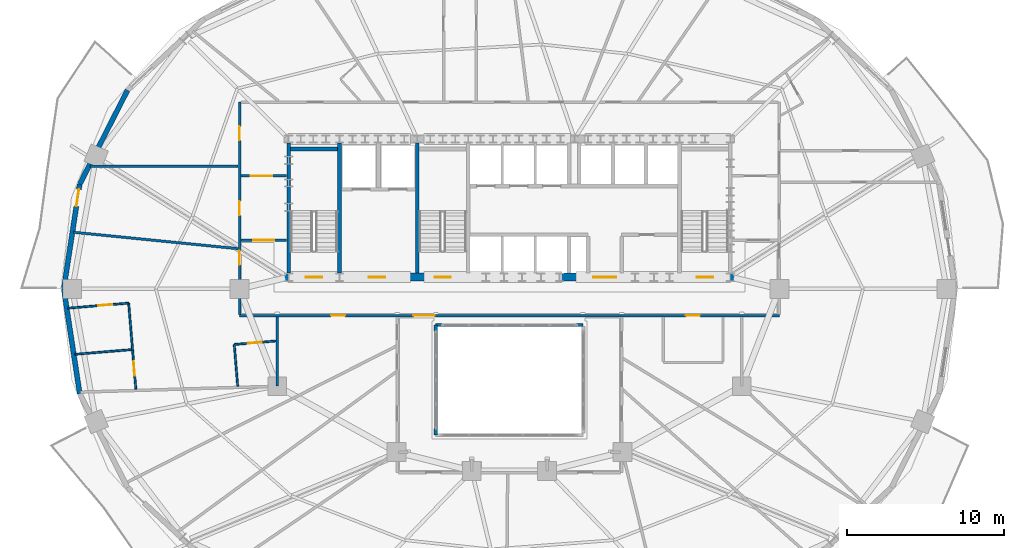
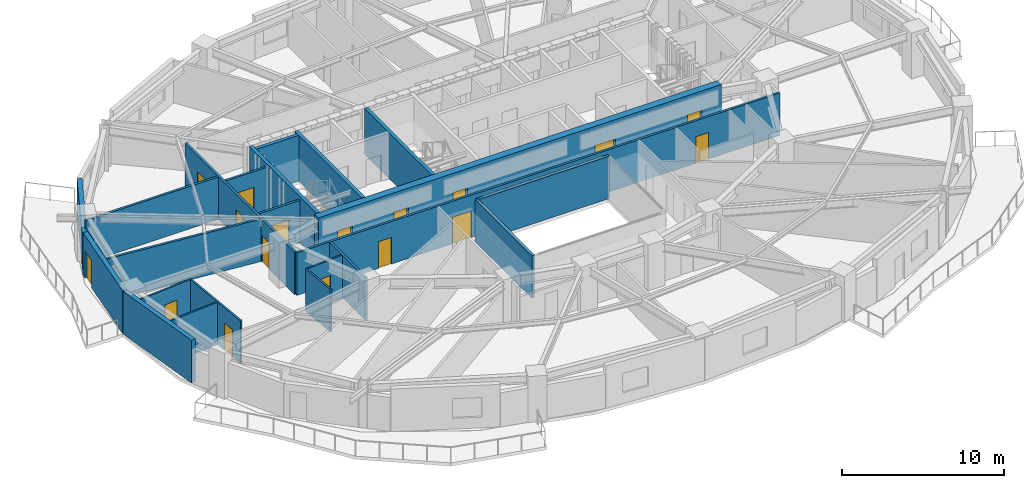
# One storey, part 7 of 14: 22 walls, 17 doors, 17 openings.
"""IFC4 building model written with IfcOpenShell, lengths in metres."""

from ifc_helpers import new_model, si_unit, direction, frame, frame_2d, origin, place, context, subcontext, project, spatial, rectangle, extrude, material, layer, layer_set, type_object, element, fill, save


model = new_model("IFC4")

# Units and contexts
model_context = context("Model", 3, precision=1e-05, world=origin(), true_north=direction((0.0, 1.0)))
body_context = subcontext(model_context, "Body", "Model", "MODEL_VIEW")
ifc_project = project(units=[si_unit("LENGTHUNIT", "METRE"), si_unit("AREAUNIT", "SQUARE_METRE"), si_unit("VOLUMEUNIT", "CUBIC_METRE"), si_unit("PLANEANGLEUNIT", "RADIAN"), si_unit("MASSUNIT", "GRAM", prefix="KILO")], contexts=[model_context])

# Site, building, storey
site_placement = place(None, origin())
site = spatial("IfcSite", under=ifc_project, at=site_placement, CompositionType="ELEMENT")
building_placement = place(site_placement, origin())
building = spatial("IfcBuilding", under=site, at=building_placement, Name="Haldorwick Loom Tower", CompositionType="ELEMENT")
storey_placement = place(building_placement, frame((0.0, 0.0, 95.60009765625)))
storey = spatial("IfcBuildingStorey", under=building, at=storey_placement, Name="L25", CompositionType="ELEMENT", Elevation=95.60009765625)

# Wall
ifc_material_1 = material(Name="Pressed Clay Face Brick and Insulated Masonry Backup Assembly", Category="masonry")
ifc_layer_1 = layer(ifc_material_1, 0.320068359375, Name="Pressed Clay Face Brick and Insulated Masonry Backup Assembly", Category="masonry")
ifc_layer_set_1 = layer_set([ifc_layer_1], Name="Pressed Clay Face Brick and Insulated Masonry Backup Assembly")
wall_type_1 = type_object("IfcWallType", Name="ARC-WL-EXT320", PredefinedType="STANDARD", material=ifc_layer_set_1)
wall_1_placement = place(storey_placement, frame((11.661376953125, 38.655517578125, 0.0), z_axis=(0.0, 0.0, 1.0), x_axis=(-0.453374078001, -0.89132033826, 0.0)))
element("IfcWall", 1, at=wall_1_placement, inside=storey, type_object=wall_type_1, Name="L25 Brick Pier and Spandrel Wall 11", PredefinedType="STANDARD", context=body_context, shape_type="SweptSolid", body=[
    extrude(rectangle(XDim=6.709716796875, YDim=0.320068359375, at=frame_2d((3.35498046875, 0.0))), origin(), (0.0, 0.0, 1.0), 2.56884765625),
])

# Wall, opening, door
wall_2_placement = place(storey_placement, frame((8.619384765625, 32.675048828125, 0.0), z_axis=(0.0, 0.0, 1.0), x_axis=(-0.150633288003, -0.988589708901, 0.0)))
wall_2 = element("IfcWall", 2, at=wall_2_placement, inside=storey, type_object=wall_type_1, Name="L25 Brick Pier and Spandrel Wall 12", PredefinedType="STANDARD", context=body_context, shape_type="SweptSolid", body=[
    extrude(rectangle(XDim=6.752197265625, YDim=0.320068359375, at=frame_2d((3.3759765625, 0.0))), origin(), (0.0, 0.0, 1.0), 3.2099609375),
])
opening_1_placement = place(wall_2_placement, frame((0.340087890625, 0.0, 0.0)))
opening_1 = element("IfcOpeningElement", 3, at=opening_1_placement, cuts=wall_2, Name="Opening D-BL11", PredefinedType="OPENING", context=body_context, shape_type="SweptSolid", body=[
    extrude(rectangle(XDim=1.080078125, YDim=2.0400390625, at=frame_2d((0.5400390625, 1.02001953125))), frame((0.0, 0.169921875, 0.0), z_axis=(0.0, -1.0, 0.0), x_axis=(1.0, 0.0, 0.0)), (0.0, 0.0, 1.0), 0.340087890625),
])
ifc_material_2 = material(Name="Thermally Broken Anodized Aluminium Curtain Wall Framing", Category="aluminium")
door_type_1 = type_object("IfcDoorType", Name="ARC-DR-BAL110", OperationType="NOTDEFINED", PredefinedType="DOOR", material=ifc_material_2)
door_1_placement = place(opening_1_placement, origin())
door_1 = element("IfcDoor", 4, at=door_1_placement, inside=storey, type_object=door_type_1, Name="L25 Outdoor Terrace Door SLB-L25-BAL_WNW", OperationType="SINGLE_SWING_RIGHT", OverallHeight=2.0400390625, OverallWidth=1.080078125, PredefinedType="DOOR", context=body_context, shape_type="SweptSolid", body=[
    extrude(rectangle(XDim=1.080078125, YDim=2.0400390625, at=frame_2d((0.5400390625, 1.02001953125))), frame((0.0, 0.02490234375, 0.0), z_axis=(0.0, -1.0, 0.0), x_axis=(1.0, 0.0, 0.0)), (0.0, 0.0, 1.0), 0.050048828125),
])
fill(opening_1, door_1)

# Wall
wall_3_placement = place(storey_placement, frame((7.602294921875, 26.0, 0.0), z_axis=(0.0, 0.0, 1.0), x_axis=(0.150633288003, -0.988589708901, 0.0)))
element("IfcWall", 5, at=wall_3_placement, inside=storey, type_object=wall_type_1, Name="L25 Brick Pier and Spandrel Wall 13", PredefinedType="STANDARD", context=body_context, shape_type="SweptSolid", body=[
    extrude(rectangle(XDim=6.752197265625, YDim=0.320068359375, at=frame_2d((3.3759765625, 0.0))), origin(), (0.0, 0.0, 1.0), 3.2099609375),
])

# Wall, openings, doors
ifc_material_3 = material(Name="Fire-Rated Type X Gypsum Stud Assembly EI 60")
ifc_layer_2 = layer(ifc_material_3, 0.159912109375, Name="Fire-Rated Type X Gypsum Stud Assembly EI 60")
ifc_layer_set_2 = layer_set([ifc_layer_2], Name="Fire-Rated Type X Gypsum Stud Assembly EI 60")
wall_type_2 = type_object("IfcWallType", Name="ARC-WL-FIRE160", PredefinedType="PARTITIONING", material=ifc_layer_set_2)
wall_4_placement = place(storey_placement, frame((18.800048828125, 24.300048828125, 0.0), z_axis=(0.0, 0.0, 1.0), x_axis=(1.0, 0.0, 0.0)))
wall_4 = element("IfcWall", 6, at=wall_4_placement, inside=storey, type_object=wall_type_2, Name="L25 Residential Fire Partition L25-CR-SP", PredefinedType="PARTITIONING", context=body_context, shape_type="SweptSolid", body=[
    extrude(rectangle(XDim=34.39990234375, YDim=0.159912109375, at=frame_2d((17.199951171875, 0.0))), origin(), (0.0, 0.0, 1.0), 3.19482421875),
])
opening_2_placement = place(wall_4_placement, frame((11.085693359375, 0.0, 0.0)))
opening_2 = element("IfcOpeningElement", 7, at=opening_2_placement, cuts=wall_4, Name="Opening D-CR15", PredefinedType="OPENING", context=body_context, shape_type="SweptSolid", body=[
    extrude(rectangle(XDim=1.35009765625, YDim=2.0, at=frame_2d((0.675048828125, 1.0))), frame((0.0, 0.08984375, 0.0), z_axis=(0.0, -1.0, 0.0), x_axis=(1.0, 0.0, 0.0)), (0.0, 0.0, 1.0), 0.179931640625),
])
opening_3_placement = place(wall_4_placement, frame((5.834716796875, 0.0, 0.0)))
opening_3 = element("IfcOpeningElement", 8, at=opening_3_placement, cuts=wall_4, Name="Opening D-FD60A", PredefinedType="OPENING", context=body_context, shape_type="SweptSolid", body=[
    extrude(rectangle(XDim=0.89990234375, YDim=2.0, at=frame_2d((0.449951171875, 1.0))), frame((0.0, 0.08984375, 0.0), z_axis=(0.0, -1.0, 0.0), x_axis=(1.0, 0.0, 0.0)), (0.0, 0.0, 1.0), 0.179931640625),
])
opening_4_placement = place(wall_4_placement, frame((28.437255859375, 0.0, 0.0)))
opening_4 = element("IfcOpeningElement", 9, at=opening_4_placement, cuts=wall_4, Name="Opening D-FD60A", PredefinedType="OPENING", context=body_context, shape_type="SweptSolid", body=[
    extrude(rectangle(XDim=0.89990234375, YDim=2.0, at=frame_2d((0.449951171875, 1.0))), frame((0.0, 0.08984375, 0.0), z_axis=(0.0, -1.0, 0.0), x_axis=(1.0, 0.0, 0.0)), (0.0, 0.0, 1.0), 0.179931640625),
])
ifc_material_4 = material(Name="Thermally Broken Anodized Aluminium and Tempered Glass", Category="aluminium")
door_type_2 = type_object("IfcDoorType", Name="ARC-DR-COR150", OperationType="NOTDEFINED", PredefinedType="DOOR", material=ifc_material_4)
door_2_placement = place(opening_2_placement, origin())
door_2 = element("IfcDoor", 10, at=door_2_placement, inside=storey, type_object=door_type_2, Name="L25 L25 Central Residential Corridor to L25 South Atrium Corridor Door", OperationType="DOUBLE_DOOR_SINGLE_SWING", OverallHeight=2.0, OverallWidth=1.35009765625, PredefinedType="DOOR", context=body_context, shape_type="SweptSolid", body=[
    extrude(rectangle(XDim=1.35009765625, YDim=2.0, at=frame_2d((0.675048828125, 1.0))), frame((0.0, 0.02490234375, 0.0), z_axis=(0.0, -1.0, 0.0), x_axis=(1.0, 0.0, 0.0)), (0.0, 0.0, 1.0), 0.050048828125),
])
fill(opening_2, door_2)
ifc_material_5 = material(Name="Hollow Steel Fire Door Assembly", Category="steel")
door_type_3 = type_object("IfcDoorType", Name="ARC-DR-FD60-90", OperationType="NOTDEFINED", PredefinedType="DOOR", material=ifc_material_5)
door_3_placement = place(opening_3_placement, origin())
door_3 = element("IfcDoor", 11, at=door_3_placement, inside=storey, type_object=door_type_3, Name="L25 L25 Central Residential Corridor to Craft Hobby Hall 2 Door", OperationType="SINGLE_SWING_RIGHT", OverallHeight=2.0, OverallWidth=0.89990234375, PredefinedType="DOOR", context=body_context, shape_type="SweptSolid", body=[
    extrude(rectangle(XDim=0.89990234375, YDim=2.0, at=frame_2d((0.449951171875, 1.0))), frame((0.0, 0.02490234375, 0.0), z_axis=(0.0, -1.0, 0.0), x_axis=(1.0, 0.0, 0.0)), (0.0, 0.0, 1.0), 0.050048828125),
])
fill(opening_3, door_3)
door_4_placement = place(opening_4_placement, origin())
door_4 = element("IfcDoor", 12, at=door_4_placement, inside=storey, type_object=door_type_3, Name="L25 L25 Central Residential Corridor to Common Accessible WC Door", OperationType="SINGLE_SWING_RIGHT", OverallHeight=2.0, OverallWidth=0.89990234375, PredefinedType="DOOR", context=body_context, shape_type="SweptSolid", body=[
    extrude(rectangle(XDim=0.89990234375, YDim=2.0, at=frame_2d((0.449951171875, 1.0))), frame((0.0, 0.02490234375, 0.0), z_axis=(0.0, -1.0, 0.0), x_axis=(1.0, 0.0, 0.0)), (0.0, 0.0, 1.0), 0.050048828125),
])
fill(opening_4, door_4)

wall_5_placement = place(storey_placement, frame((18.800048828125, 24.383056640625, 0.0), z_axis=(0.0, 0.0, 1.0), x_axis=(0.0, 1.0, 0.0)))
wall_5 = element("IfcWall", 13, at=wall_5_placement, inside=storey, type_object=wall_type_2, Name="L25 Residential Fire Partition L25-CR-W0", PredefinedType="PARTITIONING", context=body_context, shape_type="SweptSolid", body=[
    extrude(rectangle(XDim=13.516845703125, YDim=0.159912109375, at=frame_2d((6.75830078125, 0.0))), origin(), (0.0, 0.0, 1.0), 3.19482421875),
])
opening_5_placement = place(wall_5_placement, frame((6.30859375, 0.0, 0.0)))
opening_5 = element("IfcOpeningElement", 14, at=opening_5_placement, cuts=wall_5, Name="Opening D-FD60A", PredefinedType="OPENING", context=body_context, shape_type="SweptSolid", body=[
    extrude(rectangle(XDim=0.89990234375, YDim=2.0, at=frame_2d((0.449951171875, 1.0))), frame((0.0, 0.08984375, 0.0), z_axis=(0.0, -1.0, 0.0), x_axis=(1.0, 0.0, 0.0)), (0.0, 0.0, 1.0), 0.179931640625),
])
opening_6_placement = place(wall_5_placement, frame((3.149169921875, 0.0, 0.0)))
opening_6 = element("IfcOpeningElement", 15, at=opening_6_placement, cuts=wall_5, Name="Opening D-FD60A", PredefinedType="OPENING", context=body_context, shape_type="SweptSolid", body=[
    extrude(rectangle(XDim=0.89990234375, YDim=2.0, at=frame_2d((0.449951171875, 1.0))), frame((0.0, 0.08984375, 0.0), z_axis=(0.0, -1.0, 0.0), x_axis=(1.0, 0.0, 0.0)), (0.0, 0.0, 1.0), 0.179931640625),
])
opening_7_placement = place(wall_5_placement, frame((11.07275390625, 0.0, 0.0)))
opening_7 = element("IfcOpeningElement", 16, at=opening_7_placement, cuts=wall_5, Name="Opening D-FD60A", PredefinedType="OPENING", context=body_context, shape_type="SweptSolid", body=[
    extrude(rectangle(XDim=0.89990234375, YDim=2.0, at=frame_2d((0.449951171875, 1.0))), frame((0.0, 0.08984375, 0.0), z_axis=(0.0, -1.0, 0.0), x_axis=(1.0, 0.0, 0.0)), (0.0, 0.0, 1.0), 0.179931640625),
])
door_5_placement = place(opening_5_placement, frame((0.89990234375, 0.0, 0.0), z_axis=(0.0, 0.0, 1.0), x_axis=(-1.0, 0.0, 0.0)))
door_5 = element("IfcDoor", 17, at=door_5_placement, inside=storey, type_object=door_type_3, Name="L25 Games Club Hall 3 to L25 West Residential Corridor Door", OperationType="SINGLE_SWING_RIGHT", OverallHeight=2.0, OverallWidth=0.89990234375, PredefinedType="DOOR", context=body_context, shape_type="SweptSolid", body=[
    extrude(rectangle(XDim=0.89990234375, YDim=2.0, at=frame_2d((0.449951171875, 1.0))), frame((0.0, 0.02490234375, 0.0), z_axis=(0.0, -1.0, 0.0), x_axis=(1.0, 0.0, 0.0)), (0.0, 0.0, 1.0), 0.050048828125),
])
fill(opening_5, door_5)
door_6_placement = place(opening_6_placement, frame((0.89990234375, 0.0, 0.0), z_axis=(0.0, 0.0, 1.0), x_axis=(-1.0, 0.0, 0.0)))
door_6 = element("IfcDoor", 18, at=door_6_placement, inside=storey, type_object=door_type_3, Name="L25 Unit 25H Kitchen and Living Room to L25 Central Residential Corridor", OperationType="SINGLE_SWING_LEFT", OverallHeight=2.0, OverallWidth=0.89990234375, PredefinedType="DOOR", context=body_context, shape_type="SweptSolid", body=[
    extrude(rectangle(XDim=0.89990234375, YDim=2.0, at=frame_2d((0.449951171875, 1.0))), frame((0.0, 0.02490234375, 0.0), z_axis=(0.0, -1.0, 0.0), x_axis=(1.0, 0.0, 0.0)), (0.0, 0.0, 1.0), 0.050048828125),
])
fill(opening_6, door_6)
door_7_placement = place(opening_7_placement, frame((0.89990234375, 0.0, 0.0), z_axis=(0.0, 0.0, 1.0), x_axis=(-1.0, 0.0, 0.0)))
door_7 = element("IfcDoor", 19, at=door_7_placement, inside=storey, type_object=door_type_3, Name="L25 Community Teaching Classroom 9 to L25 North Residential Corridor Doo", OperationType="SINGLE_SWING_RIGHT", OverallHeight=2.0, OverallWidth=0.89990234375, PredefinedType="DOOR", context=body_context, shape_type="SweptSolid", body=[
    extrude(rectangle(XDim=0.89990234375, YDim=2.0, at=frame_2d((0.449951171875, 1.0))), frame((0.0, 0.02490234375, 0.0), z_axis=(0.0, -1.0, 0.0), x_axis=(1.0, 0.0, 0.0)), (0.0, 0.0, 1.0), 0.050048828125),
])
fill(opening_7, door_7)

# Wall, opening, door
wall_6_placement = place(storey_placement, frame((18.883056640625, 29.10009765625, 0.0), z_axis=(0.0, 0.0, 1.0), x_axis=(1.0, 0.0, 0.0)))
wall_6 = element("IfcWall", 20, at=wall_6_placement, inside=storey, type_object=wall_type_2, Name="L25 Residential Fire Partition L25-CR-WSJ", PredefinedType="PARTITIONING", context=body_context, shape_type="SweptSolid", body=[
    extrude(rectangle(XDim=2.923828125, YDim=0.159912109375, at=frame_2d((1.4619140625, 0.0))), origin(), (0.0, 0.0, 1.0), 3.19482421875),
])
opening_8_placement = place(wall_6_placement, frame((0.787109375, 0.0, 0.0)))
opening_8 = element("IfcOpeningElement", 21, at=opening_8_placement, cuts=wall_6, Name="Opening D-CR15", PredefinedType="OPENING", context=body_context, shape_type="SweptSolid", body=[
    extrude(rectangle(XDim=1.35009765625, YDim=2.0, at=frame_2d((0.675048828125, 1.0))), frame((0.0, 0.08984375, 0.0), z_axis=(0.0, -1.0, 0.0), x_axis=(1.0, 0.0, 0.0)), (0.0, 0.0, 1.0), 0.179931640625),
])
door_8_placement = place(opening_8_placement, origin())
door_8 = element("IfcDoor", 22, at=door_8_placement, inside=storey, type_object=door_type_2, Name="L25 L25 West Residential Corridor to L25 Central Residential Corridor Do", OperationType="DOUBLE_DOOR_SINGLE_SWING", OverallHeight=2.0, OverallWidth=1.35009765625, PredefinedType="DOOR", context=body_context, shape_type="SweptSolid", body=[
    extrude(rectangle(XDim=1.35009765625, YDim=2.0, at=frame_2d((0.675048828125, 1.0))), frame((0.0, 0.02490234375, 0.0), z_axis=(0.0, -1.0, 0.0), x_axis=(1.0, 0.0, 0.0)), (0.0, 0.0, 1.0), 0.050048828125),
])
fill(opening_8, door_8)

wall_7_placement = place(storey_placement, frame((18.883056640625, 33.199951171875, 0.0), z_axis=(0.0, 0.0, 1.0), x_axis=(1.0, 0.0, 0.0)))
wall_7 = element("IfcWall", 23, at=wall_7_placement, inside=storey, type_object=wall_type_2, Name="L25 Residential Fire Partition L25-CR-WNJ", PredefinedType="PARTITIONING", context=body_context, shape_type="SweptSolid", body=[
    extrude(rectangle(XDim=2.923828125, YDim=0.159912109375, at=frame_2d((1.4619140625, 0.0))), origin(), (0.0, 0.0, 1.0), 3.19482421875),
])
opening_9_placement = place(wall_7_placement, frame((0.637939453125, 0.0, 0.0)))
opening_9 = element("IfcOpeningElement", 24, at=opening_9_placement, cuts=wall_7, Name="Opening D-CR15", PredefinedType="OPENING", context=body_context, shape_type="SweptSolid", body=[
    extrude(rectangle(XDim=1.35009765625, YDim=2.0, at=frame_2d((0.675048828125, 1.0))), frame((0.0, 0.08984375, 0.0), z_axis=(0.0, -1.0, 0.0), x_axis=(1.0, 0.0, 0.0)), (0.0, 0.0, 1.0), 0.179931640625),
])
door_9_placement = place(opening_9_placement, origin())
door_9 = element("IfcDoor", 25, at=door_9_placement, inside=storey, type_object=door_type_2, Name="L25 L25 North Residential Corridor to L25 West Residential Corridor Door", OperationType="DOUBLE_DOOR_SINGLE_SWING", OverallHeight=2.0, OverallWidth=1.35009765625, PredefinedType="DOOR", context=body_context, shape_type="SweptSolid", body=[
    extrude(rectangle(XDim=1.35009765625, YDim=2.0, at=frame_2d((0.675048828125, 1.0))), frame((0.0, 0.02490234375, 0.0), z_axis=(0.0, -1.0, 0.0), x_axis=(1.0, 0.0, 0.0)), (0.0, 0.0, 1.0), 0.050048828125),
])
fill(opening_9, door_9)

# Walls
wall_8_placement = place(storey_placement, frame((21.199951171875, 24.217041015625, 0.0), z_axis=(0.0, 0.0, 1.0), x_axis=(0.0, -1.0, 0.0)))
element("IfcWall", 26, at=wall_8_placement, inside=storey, type_object=wall_type_2, Name="L25 Residential Fire Partition L25-ICA-09", PredefinedType="PARTITIONING", context=body_context, shape_type="SweptSolid", body=[
    extrude(rectangle(XDim=4.4169921875, YDim=0.159912109375, at=frame_2d((2.20849609375, 0.0))), origin(), (0.0, 0.0, 1.0), 3.19482421875),
])
wall_9_placement = place(storey_placement, frame((9.2646484375, 33.800048828125, 0.0), z_axis=(0.0, 0.0, 1.0), x_axis=(1.0, 0.0, 0.0)))
element("IfcWall", 27, at=wall_9_placement, inside=storey, type_object=wall_type_2, Name="L25 Residential Fire Partition L25-FLW-12", PredefinedType="PARTITIONING", context=body_context, shape_type="SweptSolid", body=[
    extrude(rectangle(XDim=9.452392578125, YDim=0.159912109375, at=frame_2d((4.72607421875, 0.0))), origin(), (0.0, 0.0, 1.0), 3.19482421875),
])
wall_10_placement = place(storey_placement, frame((18.717041015625, 28.560546875, 0.0), z_axis=(0.0, 0.0, 1.0), x_axis=(-0.995047265235, 0.099402917204, 0.0)))
element("IfcWall", 28, at=wall_10_placement, inside=storey, type_object=wall_type_2, Name="L25 Suite Split Wall", PredefinedType="PARTITIONING", context=body_context, shape_type="SweptSolid", body=[
    extrude(rectangle(XDim=10.55126953125, YDim=0.159912109375, at=frame_2d((5.275634765625, 0.0))), origin(), (0.0, 0.0, 1.0), 3.19482421875),
])
ifc_material_6 = material(Name="Fire-Rated Type X Gypsum Stud Assembly EI 120")
ifc_layer_3 = layer(ifc_material_6, 0.199951171875, Name="Fire-Rated Type X Gypsum Stud Assembly EI 120")
ifc_layer_set_3 = layer_set([ifc_layer_3], Name="Fire-Rated Type X Gypsum Stud Assembly EI 120")
wall_type_3 = type_object("IfcWallType", Name="ARC-WL-FIRE200", PredefinedType="PARTITIONING", material=ifc_layer_set_3)
wall_11_placement = place(storey_placement, frame((31.300048828125, 23.699951171875, 0.0), z_axis=(0.0, 0.0, 1.0), x_axis=(1.0, 0.0, 0.0)))
element("IfcWall", 29, at=wall_11_placement, inside=storey, type_object=wall_type_3, Name="L25 Atrium Fire Enclosure Wall N", PredefinedType="PARTITIONING", context=body_context, shape_type="SweptSolid", body=[
    extrude(rectangle(XDim=9.39990234375, YDim=0.199951171875, at=frame_2d((4.699951171875, 0.0))), origin(), (0.0, 0.0, 1.0), 3.19482421875),
])
wall_12_placement = place(storey_placement, frame((31.300048828125, 16.699951171875, 0.0), z_axis=(0.0, 0.0, 1.0), x_axis=(0.0, 1.0, 0.0)))
element("IfcWall", 30, at=wall_12_placement, inside=storey, type_object=wall_type_3, Name="L25 Atrium Fire Enclosure Wall W", PredefinedType="PARTITIONING", context=body_context, shape_type="SweptSolid", body=[
    extrude(rectangle(XDim=7.0, YDim=0.199951171875, at=frame_2d((3.5, 0.0))), origin(), (0.0, 0.0, 1.0), 3.19482421875),
])
ifc_material_7 = material(Name="Acoustic Gypsum Stud Assembly STC 55")
ifc_layer_4 = layer(ifc_material_7, 0.1201171875, Name="Acoustic Gypsum Stud Assembly STC 55")
ifc_layer_set_4 = layer_set([ifc_layer_4], Name="Acoustic Gypsum Stud Assembly STC 55")
wall_type_4 = type_object("IfcWallType", Name="ARC-WL-PART120", PredefinedType="PARTITIONING", material=ifc_layer_set_4)
wall_13_placement = place(storey_placement, frame((18.4638671875, 22.458251953125, 0.0), z_axis=(0.0, 0.0, 1.0), x_axis=(0.082870793894, -0.996560299992, 0.0)))
element("IfcWall", 31, at=wall_13_placement, inside=storey, type_object=wall_type_4, Name="L25 Unit 25H Interior Partition", PredefinedType="PARTITIONING", context=body_context, shape_type="SweptSolid", body=[
    extrude(rectangle(XDim=2.66015625, YDim=0.1201171875, at=frame_2d((1.330078125, 0.0))), origin(), (0.0, 0.0, 1.0), 3.19482421875),
])

# Wall, opening, door
wall_14_placement = place(storey_placement, frame((21.116943359375, 22.678955078125, 0.0), z_axis=(0.0, 0.0, 1.0), x_axis=(-0.996557764324, -0.082901280846, 0.0)))
wall_14 = element("IfcWall", 32, at=wall_14_placement, inside=storey, type_object=wall_type_4, Name="L25 Unit 25H Interior Partition", PredefinedType="PARTITIONING", context=body_context, shape_type="SweptSolid", body=[
    extrude(rectangle(XDim=2.662353515625, YDim=0.1201171875, at=frame_2d((1.3310546875, 0.0))), origin(), (0.0, 0.0, 1.0), 3.19482421875),
])
opening_10_placement = place(wall_14_placement, frame((0.89111328125, 0.0, 0.0)))
opening_10 = element("IfcOpeningElement", 33, at=opening_10_placement, cuts=wall_14, Name="Opening D-BT88", PredefinedType="OPENING", context=body_context, shape_type="SweptSolid", body=[
    extrude(rectangle(XDim=0.8798828125, YDim=2.02001953125, at=frame_2d((0.43994140625, 1.010009765625))), frame((0.0, 0.070068359375, 0.0), z_axis=(0.0, -1.0, 0.0), x_axis=(1.0, 0.0, 0.0)), (0.0, 0.0, 1.0), 0.14013671875),
])
ifc_material_8 = material(Name="Solid Core Birch Architectural Door")
door_type_4 = type_object("IfcDoorType", Name="ARC-DR-BATH88", OperationType="NOTDEFINED", PredefinedType="DOOR", material=ifc_material_8)
door_10_placement = place(opening_10_placement, origin())
door_10 = element("IfcDoor", 34, at=door_10_placement, inside=storey, type_object=door_type_4, Name="L25 Unit 25H Bathroom to Unit 25H Kitchen and Living Room Door", OperationType="SINGLE_SWING_LEFT", OverallHeight=2.02001953125, OverallWidth=0.8798828125, PredefinedType="DOOR", context=body_context, shape_type="SweptSolid", body=[
    extrude(rectangle(XDim=0.8798828125, YDim=2.02001953125, at=frame_2d((0.43994140625, 1.010009765625))), frame((0.0, 0.02490234375, 0.0), z_axis=(0.0, -1.0, 0.0), x_axis=(1.0, 0.0, 0.0)), (0.0, 0.0, 1.0), 0.050048828125),
])
fill(opening_10, door_10)

wall_15_placement = place(storey_placement, frame((11.738037109375, 25.092529296875, 0.0), z_axis=(0.0, 0.0, 1.0), x_axis=(0.082957319871, -0.996553100984, 0.0)))
wall_15 = element("IfcWall", 35, at=wall_15_placement, inside=storey, type_object=wall_type_4, Name="L25 Unit 25H Interior Partition", PredefinedType="PARTITIONING", context=body_context, shape_type="SweptSolid", body=[
    extrude(rectangle(XDim=5.50048828125, YDim=0.1201171875, at=frame_2d((2.750244140625, 0.0))), origin(), (0.0, 0.0, 1.0), 3.19482421875),
])
opening_11_placement = place(wall_15_placement, frame((3.730224609375, 0.0, 0.0)))
opening_11 = element("IfcOpeningElement", 36, at=opening_11_placement, cuts=wall_15, Name="Opening D-IN90", PredefinedType="OPENING", context=body_context, shape_type="SweptSolid", body=[
    extrude(rectangle(XDim=0.89990234375, YDim=2.0400390625, at=frame_2d((0.449951171875, 1.02001953125))), frame((0.0, 0.070068359375, 0.0), z_axis=(0.0, -1.0, 0.0), x_axis=(1.0, 0.0, 0.0)), (0.0, 0.0, 1.0), 0.14013671875),
])
door_type_5 = type_object("IfcDoorType", Name="ARC-DR-INT90", OperationType="NOTDEFINED", PredefinedType="DOOR", material=ifc_material_8)
door_11_placement = place(opening_11_placement, origin())
door_11 = element("IfcDoor", 37, at=door_11_placement, inside=storey, type_object=door_type_5, Name="L25 Unit 25H Kitchen and Living Room to Unit 25H Bedroom 1 Door", OperationType="SINGLE_SWING_RIGHT", OverallHeight=2.0400390625, OverallWidth=0.89990234375, PredefinedType="DOOR", context=body_context, shape_type="SweptSolid", body=[
    extrude(rectangle(XDim=0.89990234375, YDim=2.0400390625, at=frame_2d((0.449951171875, 1.02001953125))), frame((0.0, 0.02490234375, 0.0), z_axis=(0.0, -1.0, 0.0), x_axis=(1.0, 0.0, 0.0)), (0.0, 0.0, 1.0), 0.050048828125),
])
fill(opening_11, door_11)

wall_16_placement = place(storey_placement, frame((11.738037109375, 25.092529296875, 0.0), z_axis=(0.0, 0.0, 1.0), x_axis=(-0.996551806335, -0.082972870808, 0.0)))
wall_16 = element("IfcWall", 38, at=wall_16_placement, inside=storey, type_object=wall_type_4, Name="L25 Unit 25H Interior Partition", PredefinedType="PARTITIONING", context=body_context, shape_type="SweptSolid", body=[
    extrude(rectangle(XDim=3.895751953125, YDim=0.1201171875, at=frame_2d((1.94775390625, 0.0))), origin(), (0.0, 0.0, 1.0), 3.19482421875),
])
opening_12_placement = place(wall_16_placement, frame((1.052490234375, 0.0, 0.0)))
opening_12 = element("IfcOpeningElement", 39, at=opening_12_placement, cuts=wall_16, Name="Opening D-IN90", PredefinedType="OPENING", context=body_context, shape_type="SweptSolid", body=[
    extrude(rectangle(XDim=0.89990234375, YDim=2.0400390625, at=frame_2d((0.449951171875, 1.02001953125))), frame((0.0, 0.070068359375, 0.0), z_axis=(0.0, -1.0, 0.0), x_axis=(1.0, 0.0, 0.0)), (0.0, 0.0, 1.0), 0.14013671875),
])
door_12_placement = place(opening_12_placement, origin())
door_12 = element("IfcDoor", 40, at=door_12_placement, inside=storey, type_object=door_type_5, Name="L25 Unit 25H Bedroom 2 to Unit 25H Kitchen and Living Room Door", OperationType="SINGLE_SWING_LEFT", OverallHeight=2.0400390625, OverallWidth=0.89990234375, PredefinedType="DOOR", context=body_context, shape_type="SweptSolid", body=[
    extrude(rectangle(XDim=0.89990234375, YDim=2.0400390625, at=frame_2d((0.449951171875, 1.02001953125))), frame((0.0, 0.02490234375, 0.0), z_axis=(0.0, -1.0, 0.0), x_axis=(1.0, 0.0, 0.0)), (0.0, 0.0, 1.0), 0.050048828125),
])
fill(opening_12, door_12)

# Wall
wall_17_placement = place(storey_placement, frame((11.92138671875, 22.131103515625, 0.0), z_axis=(0.0, 0.0, 1.0), x_axis=(-0.996550394807, -0.082989822324, 0.0)))
element("IfcWall", 41, at=wall_17_placement, inside=storey, type_object=wall_type_4, Name="L25 Unit 25H Interior Partition", PredefinedType="PARTITIONING", context=body_context, shape_type="SweptSolid", body=[
    extrude(rectangle(XDim=3.630126953125, YDim=0.1201171875, at=frame_2d((1.81494140625, 0.0))), origin(), (0.0, 0.0, 1.0), 3.19482421875),
])

# Wall, openings, doors
ifc_material_9 = material(Name="Concrete C60 (60 MPa)", Category="concrete")
ifc_layer_5 = layer(ifc_material_9, 0.5, Name="Concrete C60 (60 MPa)", Category="concrete")
ifc_layer_set_5 = layer_set([ifc_layer_5], Name="Concrete C60 (60 MPa)")
wall_type_5 = type_object("IfcWallType", Name="STR-WL-CORE500", PredefinedType="SHEAR", material=ifc_layer_set_5)
wall_18_placement = place(storey_placement, frame((21.64990234375, 26.75, 0.0), z_axis=(0.0, 0.0, 1.0), x_axis=(1.0, 0.0, 0.0)))
wall_18 = element("IfcWall", 42, at=wall_18_placement, inside=storey, type_object=wall_type_5, Name="L25 Core Shear Wall S", PredefinedType="SHEAR", context=body_context, shape_type="SweptSolid", body=[
    extrude(rectangle(XDim=28.7001953125, YDim=0.5, at=frame_2d((14.35009765625, 0.0))), origin(), (0.0, 0.0, 1.0), 3.449951171875),
])
opening_13_placement = place(wall_18_placement, frame((1.375, 0.0, 0.0)))
opening_13 = element("IfcOpeningElement", 43, at=opening_13_placement, cuts=wall_18, Name="Opening D-FD60", PredefinedType="OPENING", context=body_context, shape_type="SweptSolid", body=[
    extrude(rectangle(XDim=1.050048828125, YDim=2.0, at=frame_2d((0.52490234375, 1.0))), frame((0.0, 0.260009765625, 0.0), z_axis=(0.0, -1.0, 0.0), x_axis=(1.0, 0.0, 0.0)), (0.0, 0.0, 1.0), 0.52001953125),
])
opening_14_placement = place(wall_18_placement, frame((5.375, 0.0, 0.0)))
opening_14 = element("IfcOpeningElement", 44, at=opening_14_placement, cuts=wall_18, Name="Opening D-FD60", PredefinedType="OPENING", context=body_context, shape_type="SweptSolid", body=[
    extrude(rectangle(XDim=1.050048828125, YDim=2.0, at=frame_2d((0.52490234375, 1.0))), frame((0.0, 0.260009765625, 0.0), z_axis=(0.0, -1.0, 0.0), x_axis=(1.0, 0.0, 0.0)), (0.0, 0.0, 1.0), 0.52001953125),
])
opening_15_placement = place(wall_18_placement, frame((9.574951171875, 0.0, 0.0)))
opening_15 = element("IfcOpeningElement", 45, at=opening_15_placement, cuts=wall_18, Name="Opening D-FD60", PredefinedType="OPENING", context=body_context, shape_type="SweptSolid", body=[
    extrude(rectangle(XDim=1.050048828125, YDim=2.0, at=frame_2d((0.52490234375, 1.0))), frame((0.0, 0.260009765625, 0.0), z_axis=(0.0, -1.0, 0.0), x_axis=(1.0, 0.0, 0.0)), (0.0, 0.0, 1.0), 0.52001953125),
])
opening_16_placement = place(wall_18_placement, frame((19.705078125, 0.0, 0.0)))
opening_16 = element("IfcOpeningElement", 46, at=opening_16_placement, cuts=wall_18, Name="Opening D-LB15", PredefinedType="OPENING", context=body_context, shape_type="SweptSolid", body=[
    extrude(rectangle(XDim=1.449951171875, YDim=2.0, at=frame_2d((0.72509765625, 1.0))), frame((0.0, 0.260009765625, 0.0), z_axis=(0.0, -1.0, 0.0), x_axis=(1.0, 0.0, 0.0)), (0.0, 0.0, 1.0), 0.52001953125),
])
opening_17_placement = place(wall_18_placement, frame((26.27490234375, 0.0, 0.0)))
opening_17 = element("IfcOpeningElement", 47, at=opening_17_placement, cuts=wall_18, Name="Opening D-FD60", PredefinedType="OPENING", context=body_context, shape_type="SweptSolid", body=[
    extrude(rectangle(XDim=1.050048828125, YDim=2.0, at=frame_2d((0.52490234375, 1.0))), frame((0.0, 0.260009765625, 0.0), z_axis=(0.0, -1.0, 0.0), x_axis=(1.0, 0.0, 0.0)), (0.0, 0.0, 1.0), 0.52001953125),
])
door_type_6 = type_object("IfcDoorType", Name="ARC-DR-FD60", OperationType="NOTDEFINED", PredefinedType="DOOR", material=ifc_material_5)
door_13_placement = place(opening_13_placement, origin())
door_13 = element("IfcDoor", 48, at=door_13_placement, inside=storey, type_object=door_type_6, Name="L25 Exit Stair ST-01 Fire Door", OperationType="SINGLE_SWING_LEFT", OverallHeight=2.0, OverallWidth=1.050048828125, PredefinedType="DOOR", context=body_context, shape_type="SweptSolid", body=[
    extrude(rectangle(XDim=1.050048828125, YDim=2.0, at=frame_2d((0.52490234375, 1.0))), frame((0.0, 0.02490234375, 0.0), z_axis=(0.0, -1.0, 0.0), x_axis=(1.0, 0.0, 0.0)), (0.0, 0.0, 1.0), 0.050048828125),
])
fill(opening_13, door_13)
door_14_placement = place(opening_14_placement, origin())
door_14 = element("IfcDoor", 49, at=door_14_placement, inside=storey, type_object=door_type_6, Name="L25 Firefighting Lift Lobby Fire Door", OperationType="SINGLE_SWING_RIGHT", OverallHeight=2.0, OverallWidth=1.050048828125, PredefinedType="DOOR", context=body_context, shape_type="SweptSolid", body=[
    extrude(rectangle(XDim=1.050048828125, YDim=2.0, at=frame_2d((0.52490234375, 1.0))), frame((0.0, 0.02490234375, 0.0), z_axis=(0.0, -1.0, 0.0), x_axis=(1.0, 0.0, 0.0)), (0.0, 0.0, 1.0), 0.050048828125),
])
fill(opening_14, door_14)
door_15_placement = place(opening_15_placement, origin())
door_15 = element("IfcDoor", 50, at=door_15_placement, inside=storey, type_object=door_type_6, Name="L25 Exit Stair ST-03 Fire Door", OperationType="SINGLE_SWING_LEFT", OverallHeight=2.0, OverallWidth=1.050048828125, PredefinedType="DOOR", context=body_context, shape_type="SweptSolid", body=[
    extrude(rectangle(XDim=1.050048828125, YDim=2.0, at=frame_2d((0.52490234375, 1.0))), frame((0.0, 0.02490234375, 0.0), z_axis=(0.0, -1.0, 0.0), x_axis=(1.0, 0.0, 0.0)), (0.0, 0.0, 1.0), 0.050048828125),
])
fill(opening_15, door_15)
door_16_placement = place(opening_17_placement, origin())
door_16 = element("IfcDoor", 51, at=door_16_placement, inside=storey, type_object=door_type_6, Name="L25 Exit Stair ST-02 Fire Door", OperationType="SINGLE_SWING_LEFT", OverallHeight=2.0, OverallWidth=1.050048828125, PredefinedType="DOOR", context=body_context, shape_type="SweptSolid", body=[
    extrude(rectangle(XDim=1.050048828125, YDim=2.0, at=frame_2d((0.52490234375, 1.0))), frame((0.0, 0.02490234375, 0.0), z_axis=(0.0, -1.0, 0.0), x_axis=(1.0, 0.0, 0.0)), (0.0, 0.0, 1.0), 0.050048828125),
])
fill(opening_17, door_16)
door_type_7 = type_object("IfcDoorType", Name="ARC-DR-LOB150", OperationType="NOTDEFINED", PredefinedType="DOOR", material=ifc_material_4)
door_17_placement = place(opening_16_placement, frame((1.449951171875, 0.0, 0.0), z_axis=(0.0, 0.0, 1.0), x_axis=(-1.0, 0.0, 0.0)))
door_17 = element("IfcDoor", 52, at=door_17_placement, inside=storey, type_object=door_type_7, Name="L25 Passenger Lift Lobby Fire Door", OperationType="DOUBLE_DOOR_SINGLE_SWING", OverallHeight=2.0, OverallWidth=1.449951171875, PredefinedType="DOOR", context=body_context, shape_type="SweptSolid", body=[
    extrude(rectangle(XDim=1.449951171875, YDim=2.0, at=frame_2d((0.72509765625, 1.0))), frame((0.0, 0.02490234375, 0.0), z_axis=(0.0, -1.0, 0.0), x_axis=(1.0, 0.0, 0.0)), (0.0, 0.0, 1.0), 0.050048828125),
])
fill(opening_16, door_17)

# Walls
ifc_material_10 = material(Name="Concrete C50 (50 MPa)", Category="concrete")
ifc_layer_6 = layer(ifc_material_10, 0.239990234375, Name="Concrete C50 (50 MPa)", Category="concrete")
ifc_layer_set_6 = layer_set([ifc_layer_6], Name="Concrete C50 (50 MPa)")
wall_type_6 = type_object("IfcWallType", Name="STR-WL-SHAFT240", PredefinedType="SHEAR", material=ifc_layer_set_6)
for number, where, z_axis, x_axis, name in (
    (53, (21.929931640625, 35.297119140625, 0.0), (0.0, 0.0, 1.0), (0.0, -1.0, 0.0), "L25 Core Shear Wall W"),
    (54, (25.169921875, 27.0029296875, 0.0), (0.0, 0.0, 1.0), (0.0, 1.0, 0.0), "L25 Core Shear Wall 1"),
):
    element("IfcWall", number, at=place(storey_placement, frame(where, z_axis=z_axis, x_axis=x_axis)), inside=storey, type_object=wall_type_6, Name=name, PredefinedType="SHEAR", context=body_context, shape_type="SweptSolid", body=[
        extrude(rectangle(XDim=8.294189453125, YDim=0.239990234375, at=frame_2d((4.14697265625, 0.0))), origin(), (0.0, 0.0, 1.0), 3.449951171875),
    ])
wall_19_placement = place(storey_placement, frame((22.052978515625, 34.919921875, 0.0), z_axis=(0.0, 0.0, 1.0), x_axis=(1.0, 0.0, 0.0)))
element("IfcWall", 55, at=wall_19_placement, inside=storey, type_object=wall_type_6, Name="L25 Core Shear Wall 1N", PredefinedType="SHEAR", context=body_context, shape_type="SweptSolid", body=[
    extrude(rectangle(XDim=2.994140625, YDim=0.239990234375, at=frame_2d((1.4970703125, 0.0))), origin(), (0.0, 0.0, 1.0), 3.449951171875),
])
wall_20_placement = place(storey_placement, frame((30.1298828125, 27.0029296875, 0.0), z_axis=(0.0, 0.0, 1.0), x_axis=(0.0, 1.0, 0.0)))
element("IfcWall", 56, at=wall_20_placement, inside=storey, type_object=wall_type_6, Name="L25 Core Shear Wall 2", PredefinedType="SHEAR", context=body_context, shape_type="SweptSolid", body=[
    extrude(rectangle(XDim=8.294189453125, YDim=0.239990234375, at=frame_2d((4.14697265625, 0.0))), origin(), (0.0, 0.0, 1.0), 3.449951171875),
])

save(model, "model.ifc")
